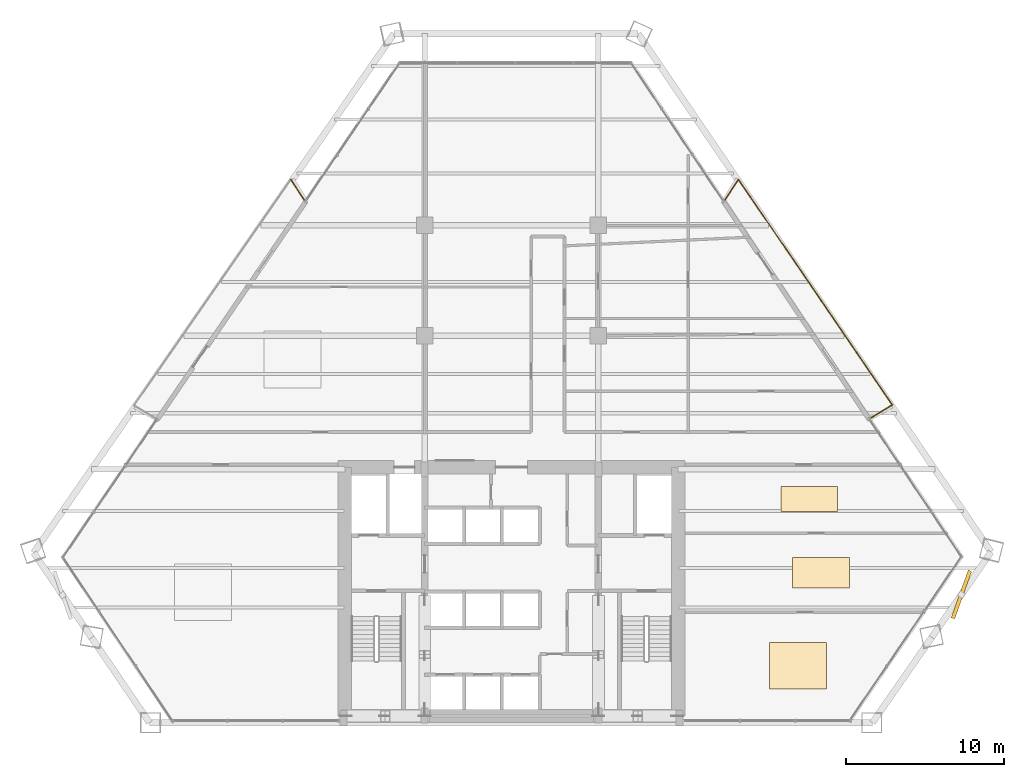
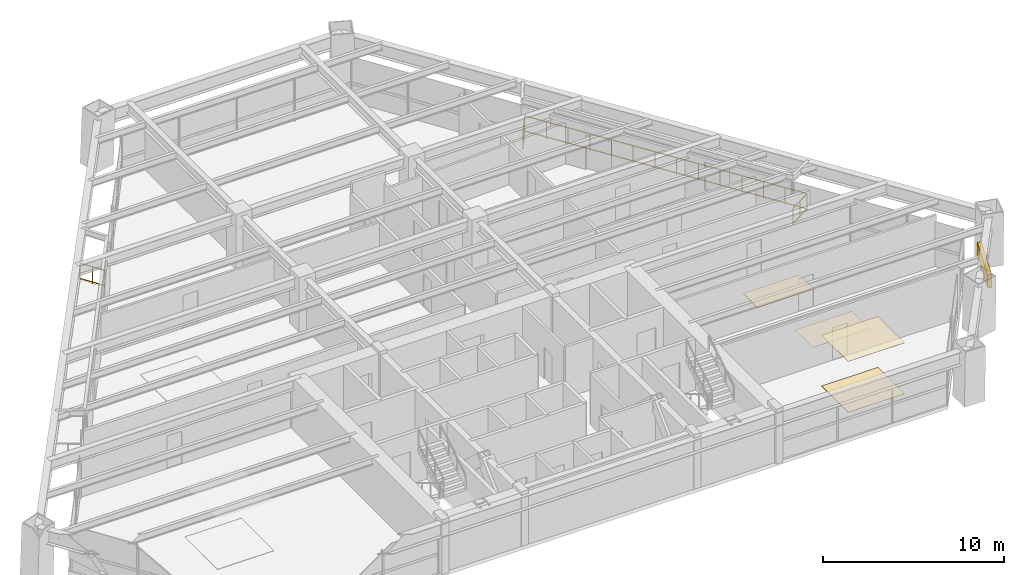
# One storey, part 14 of 14: 4 coverings, 4 railings, 1 shading device.
"""IFC4 building model written with IfcOpenShell, lengths in metres."""

from ifc_helpers import new_model, si_unit, direction, frame, origin, origin_2d, place, context, subcontext, project, spatial, rectangle, extrude, source, transform, mapped, material, layer, layer_set, type_object, type_shapes, element, save


model = new_model("IFC4")

# Units and contexts
model_context = context("Model", 3, precision=1e-05, world=origin(), true_north=direction((0.0, 1.0)))
body_context = subcontext(model_context, "Body", "Model", "MODEL_VIEW")
ifc_project = project(units=[si_unit("LENGTHUNIT", "METRE"), si_unit("AREAUNIT", "SQUARE_METRE"), si_unit("VOLUMEUNIT", "CUBIC_METRE"), si_unit("PLANEANGLEUNIT", "RADIAN"), si_unit("MASSUNIT", "GRAM", prefix="KILO")], contexts=[model_context])

# Site, building, storey
site_placement = place(None, origin())
site = spatial("IfcSite", under=ifc_project, at=site_placement, CompositionType="ELEMENT")
building_placement = place(site_placement, origin())
building = spatial("IfcBuilding", under=site, at=building_placement, Name="Varnakhor Terracotta Tower", CompositionType="ELEMENT")
storey_placement = place(building_placement, frame((0.0, 0.0, 49.699951171875)))
storey = spatial("IfcBuildingStorey", under=building, at=storey_placement, Name="L11", CompositionType="ELEMENT", Elevation=49.699951171875)

# Railings
ifc_material_1 = material(Name="Stainless Steel & Laminated Glass Guardrail", Category="steel")
railing_type = type_object("IfcRailingType", Name="RLG-LOGGIA-GUARD-1150", PredefinedType="GUARDRAIL", material=ifc_material_1)
railing_1_placement = place(storey_placement, frame((13.52001953125, 33.118896484375, 0.0)))
element("IfcRailing", 1, at=railing_1_placement, inside=storey, type_object=railing_type, Name="L11 E Loggia Glass Guard 1", PredefinedType="GUARDRAIL", context=body_context, shape_type="SweptSolid", body=[
    extrude(rectangle(XDim=0.048095703125, YDim=0.048095703125, at=origin_2d()), frame((0.0, 0.0, 1.1259765625), z_axis=(0.54923447562, 0.835668289928, 0.0), x_axis=(-0.835668289928, 0.54923447562, 0.0)), (0.0, 0.0, 1.0), 1.549560546875),
    extrude(rectangle(XDim=0.048095703125, YDim=0.048095703125, at=origin_2d()), frame((0.0, 0.0, 0.10009765625), z_axis=(0.54923447562, 0.835668289928, 0.0), x_axis=(-0.835668289928, 0.54923447562, 0.0)), (0.0, 0.0, 1.0), 1.549560546875),
    extrude(rectangle(XDim=0.0419921875, YDim=0.0419921875, at=origin_2d()), origin(), (0.0, 0.0, 1.0), 1.101806640625),
    extrude(rectangle(XDim=0.0419921875, YDim=0.0419921875, at=origin_2d()), frame((0.425537109375, 0.6474609375, 0.0)), (0.0, 0.0, 1.0), 1.101806640625),
    extrude(rectangle(XDim=0.0419921875, YDim=0.0419921875, at=origin_2d()), frame((0.85107421875, 1.294921875, 0.0)), (0.0, 0.0, 1.0), 1.101806640625),
])
railing_2_placement = place(storey_placement, frame((14.37109375, 34.413818359375, 0.0)))
element("IfcRailing", 2, at=railing_2_placement, inside=storey, type_object=railing_type, Name="L11 E Loggia Glass Guard 2", PredefinedType="GUARDRAIL", context=body_context, shape_type="SweptSolid", body=[
    extrude(rectangle(XDim=0.048095703125, YDim=0.048095703125, at=origin_2d()), frame((0.0, 0.0, 1.1259765625), z_axis=(0.563933461255, -0.825820229395, 0.0), x_axis=(0.825820229395, 0.563933461255, 0.0)), (0.0, 0.0, 1.0), 17.289306640625),
    extrude(rectangle(XDim=0.048095703125, YDim=0.048095703125, at=origin_2d()), frame((0.0, 0.0, 0.10009765625), z_axis=(0.563933461255, -0.825820229395, 0.0), x_axis=(0.825820229395, 0.563933461255, 0.0)), (0.0, 0.0, 1.0), 17.289306640625),
    extrude(rectangle(XDim=0.0419921875, YDim=0.0419921875, at=origin_2d()), origin(), (0.0, 0.0, 1.0), 1.101806640625),
    extrude(rectangle(XDim=0.0419921875, YDim=0.0419921875, at=origin_2d()), frame((0.75, -1.098388671875, 0.0)), (0.0, 0.0, 1.0), 1.101806640625),
    extrude(rectangle(XDim=0.0419921875, YDim=0.0419921875, at=origin_2d()), frame((1.5, -2.196533203125, 0.0)), (0.0, 0.0, 1.0), 1.101806640625),
    extrude(rectangle(XDim=0.0419921875, YDim=0.0419921875, at=origin_2d()), frame((2.25, -3.294921875, 0.0)), (0.0, 0.0, 1.0), 1.101806640625),
    extrude(rectangle(XDim=0.0419921875, YDim=0.0419921875, at=origin_2d()), frame((3.0, -4.39306640625, 0.0)), (0.0, 0.0, 1.0), 1.101806640625),
    extrude(rectangle(XDim=0.0419921875, YDim=0.0419921875, at=origin_2d()), frame((3.75, -5.491455078125, 0.0)), (0.0, 0.0, 1.0), 1.101806640625),
    extrude(rectangle(XDim=0.0419921875, YDim=0.0419921875, at=origin_2d()), frame((4.5, -6.58984375, 0.0)), (0.0, 0.0, 1.0), 1.101806640625),
    extrude(rectangle(XDim=0.0419921875, YDim=0.0419921875, at=origin_2d()), frame((5.25, -7.68798828125, 0.0)), (0.0, 0.0, 1.0), 1.101806640625),
    extrude(rectangle(XDim=0.0419921875, YDim=0.0419921875, at=origin_2d()), frame((6.0, -8.786376953125, 0.0)), (0.0, 0.0, 1.0), 1.101806640625),
    extrude(rectangle(XDim=0.0419921875, YDim=0.0419921875, at=origin_2d()), frame((6.75, -9.884765625, 0.0)), (0.0, 0.0, 1.0), 1.101806640625),
    extrude(rectangle(XDim=0.0419921875, YDim=0.0419921875, at=origin_2d()), frame((7.5, -10.98291015625, 0.0)), (0.0, 0.0, 1.0), 1.101806640625),
    extrude(rectangle(XDim=0.0419921875, YDim=0.0419921875, at=origin_2d()), frame((8.25, -12.081298828125, 0.0)), (0.0, 0.0, 1.0), 1.101806640625),
    extrude(rectangle(XDim=0.0419921875, YDim=0.0419921875, at=origin_2d()), frame((9.0, -13.179443359375, 0.0)), (0.0, 0.0, 1.0), 1.101806640625),
    extrude(rectangle(XDim=0.0419921875, YDim=0.0419921875, at=origin_2d()), frame((9.75, -14.27783203125, 0.0)), (0.0, 0.0, 1.0), 1.101806640625),
])
railing_3_placement = place(storey_placement, frame((24.12109375, 20.135986328125, 0.0)))
element("IfcRailing", 3, at=railing_3_placement, inside=storey, type_object=railing_type, Name="L11 E Loggia Glass Guard 3", PredefinedType="GUARDRAIL", context=body_context, shape_type="SweptSolid", body=[
    extrude(rectangle(XDim=0.048095703125, YDim=0.048095703125, at=origin_2d()), frame((0.0, 0.0, 1.1259765625), z_axis=(-0.852845730924, -0.522162962345, 0.0), x_axis=(0.522162962345, -0.852845730924, 0.0)), (0.0, 0.0, 1.0), 1.592529296875),
    extrude(rectangle(XDim=0.048095703125, YDim=0.048095703125, at=origin_2d()), frame((0.0, 0.0, 0.10009765625), z_axis=(-0.852845730924, -0.522162962345, 0.0), x_axis=(0.522162962345, -0.852845730924, 0.0)), (0.0, 0.0, 1.0), 1.592529296875),
    extrude(rectangle(XDim=0.0419921875, YDim=0.0419921875, at=origin_2d()), origin(), (0.0, 0.0, 1.0), 1.101806640625),
    extrude(rectangle(XDim=0.0419921875, YDim=0.0419921875, at=origin_2d()), frame((-0.67919921875, -0.415771484375, 0.0)), (0.0, 0.0, 1.0), 1.101806640625),
    extrude(rectangle(XDim=0.0419921875, YDim=0.0419921875, at=origin_2d()), frame((-1.358154296875, -0.83154296875, 0.0)), (0.0, 0.0, 1.0), 1.101806640625),
])
railing_4_placement = place(storey_placement, frame((-13.9814453125, 34.40234375, 0.0)))
element("IfcRailing", 4, at=railing_4_placement, inside=storey, type_object=railing_type, Name="L11 W Loggia Glass Guard 3", PredefinedType="GUARDRAIL", context=body_context, shape_type="SweptSolid", body=[
    extrude(rectangle(XDim=0.048095703125, YDim=0.048095703125, at=origin_2d()), frame((0.0, 0.0, 1.1259765625), z_axis=(0.549674354126, -0.83537901842, 0.0), x_axis=(0.83537901842, 0.549674354126, 0.0)), (0.0, 0.0, 1.0), 1.550048828125),
    extrude(rectangle(XDim=0.048095703125, YDim=0.048095703125, at=origin_2d()), frame((0.0, 0.0, 0.10009765625), z_axis=(0.549674354126, -0.83537901842, 0.0), x_axis=(0.83537901842, 0.549674354126, 0.0)), (0.0, 0.0, 1.0), 1.550048828125),
    extrude(rectangle(XDim=0.0419921875, YDim=0.0419921875, at=origin_2d()), origin(), (0.0, 0.0, 1.0), 1.101806640625),
    extrude(rectangle(XDim=0.0419921875, YDim=0.0419921875, at=origin_2d()), frame((0.426025390625, -0.6474609375, 0.0)), (0.0, 0.0, 1.0), 1.101806640625),
    extrude(rectangle(XDim=0.0419921875, YDim=0.0419921875, at=origin_2d()), frame((0.85205078125, -1.294921875, 0.0)), (0.0, 0.0, 1.0), 1.101806640625),
])

# Shading device
ifc_material_2 = material(Name="Extruded Architectural Terracotta Screen", Category="masonry")
shading_device_type = type_object("IfcShadingDeviceType", Name="TERRACOTTA SOLAR SCREEN E", PredefinedType="USERDEFINED", material=ifc_material_2)
shared_shape_1 = source(origin(), body_context, "Body", "SweptSolid", [
    extrude(rectangle(XDim=3.199951171875, YDim=0.239990234375, at=origin_2d()), origin(), (0.0, 0.0, 1.0), 0.919921875),
])
type_shapes(shading_device_type, [shared_shape_1])
shading_device_placement = place(storey_placement, frame((28.498291015625, 8.11376953125, 1.6181640625), z_axis=(0.0, 0.0, 1.0), x_axis=(0.338228805204, 0.941063906082, 0.0)))
element("IfcShadingDevice", 5, at=shading_device_placement, inside=storey, type_object=shading_device_type, Name="L11 E Terracotta Solar Screen", ObjectType="SCREEN", PredefinedType="USERDEFINED", context=body_context, shape_type="MappedRepresentation", body=[
    mapped(shared_shape_1, transform((0.0, 0.0, 0.0), scale=1.0)),
])

# Coverings
ifc_material_3 = material(Name="Honed Riyadh Limestone Flooring", Category="masonry")
ifc_layer_1 = layer(ifc_material_3, 0.030029296875, Name="Honed Riyadh Limestone Flooring")
ifc_layer_set_1 = layer_set([ifc_layer_1], Name="Honed Riyadh Limestone Flooring")
covering_type_1 = type_object("IfcCoveringType", Name="COV-FLOOR-LIMESTONE", PredefinedType="FLOORING", material=ifc_layer_set_1)
shared_shape_2 = source(origin(), body_context, "Body", "SweptSolid", [
    extrude(rectangle(XDim=3.60009765625, YDim=2.93896484375, at=origin_2d()), origin(), (0.0, 0.0, 1.0), 0.02001953125),
])
covering_1_placement = place(storey_placement, frame((18.15087890625, 3.60205078125, 0.0), z_axis=(0.0, 0.0, 1.0), x_axis=(1.0, 0.0, 0.0)))
element("IfcCovering", 6, at=covering_1_placement, inside=storey, type_object=covering_type_1, Name="L11 Honed Stone Flooring 1", PredefinedType="FLOORING", context=body_context, shape_type="MappedRepresentation", body=[
    mapped(shared_shape_2, transform((0.0, 0.0, 0.0), scale=1.0)),
])
ifc_material_4 = material(Name="Perforated Acoustic Mineral-Fibre Ceiling", Category="gypsum")
ifc_layer_2 = layer(ifc_material_4, 0.02490234375, Name="Perforated Acoustic Mineral-Fibre Ceiling")
ifc_layer_set_2 = layer_set([ifc_layer_2], Name="Perforated Acoustic Mineral-Fibre Ceiling")
covering_type_2 = type_object("IfcCoveringType", Name="COV-CEILING-ACOUSTIC", PredefinedType="CEILING", material=ifc_layer_set_2)
shared_shape_3 = source(origin(), body_context, "Body", "SweptSolid", [
    extrude(rectangle(XDim=3.60009765625, YDim=2.93896484375, at=origin_2d()), origin(), (0.0, 0.0, 1.0), 0.02392578125),
])
covering_2_placement = place(storey_placement, frame((18.15087890625, 3.60205078125, 3.426025390625), z_axis=(0.0, 0.0, 1.0), x_axis=(1.0, 0.0, 0.0)))
element("IfcCovering", 7, at=covering_2_placement, inside=storey, type_object=covering_type_2, Name="L11 Acoustic Ceiling Panel 1", PredefinedType="CEILING", context=body_context, shape_type="MappedRepresentation", body=[
    mapped(shared_shape_3, transform((0.0, 0.0, 0.0), scale=1.0)),
])
shared_shape_4 = source(origin(), body_context, "Body", "SweptSolid", [
    extrude(rectangle(XDim=3.60009765625, YDim=1.950927734375, at=origin_2d()), origin(), (0.0, 0.0, 1.0), 0.02001953125),
])
covering_3_placement = place(storey_placement, frame((19.595947265625, 9.5, 0.0), z_axis=(0.0, 0.0, 1.0), x_axis=(1.0, 0.0, 0.0)))
element("IfcCovering", 8, at=covering_3_placement, inside=storey, type_object=covering_type_1, Name="L11 Honed Stone Flooring 3", PredefinedType="FLOORING", context=body_context, shape_type="MappedRepresentation", body=[
    mapped(shared_shape_4, transform((0.0, 0.0, 0.0), scale=1.0)),
])
shared_shape_5 = source(origin(), body_context, "Body", "SweptSolid", [
    extrude(rectangle(XDim=3.60009765625, YDim=1.58203125, at=origin_2d()), origin(), (0.0, 0.0, 1.0), 0.02001953125),
])
covering_4_placement = place(storey_placement, frame((18.85791015625, 14.1640625, 0.0), z_axis=(0.0, 0.0, 1.0), x_axis=(1.0, 0.0, 0.0)))
element("IfcCovering", 9, at=covering_4_placement, inside=storey, type_object=covering_type_1, Name="L11 Honed Stone Flooring 4", PredefinedType="FLOORING", context=body_context, shape_type="MappedRepresentation", body=[
    mapped(shared_shape_5, transform((0.0, 0.0, 0.0), scale=1.0)),
])

save(model, "model.ifc")
